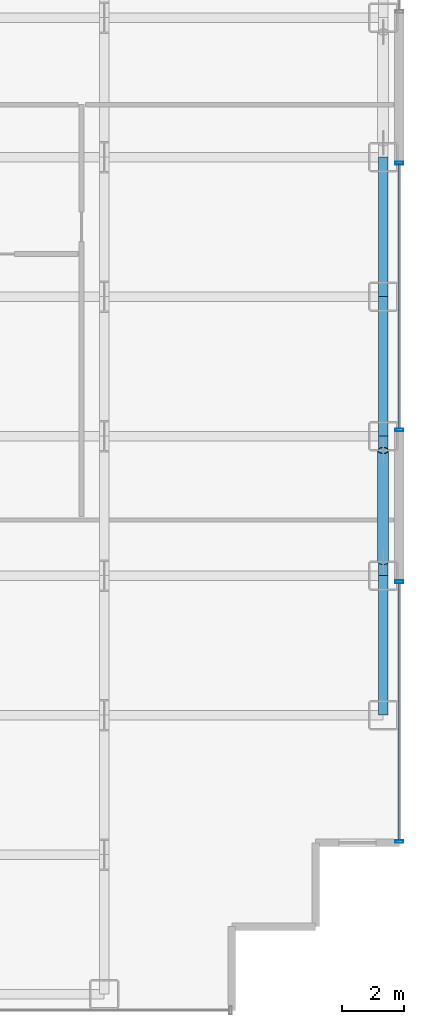
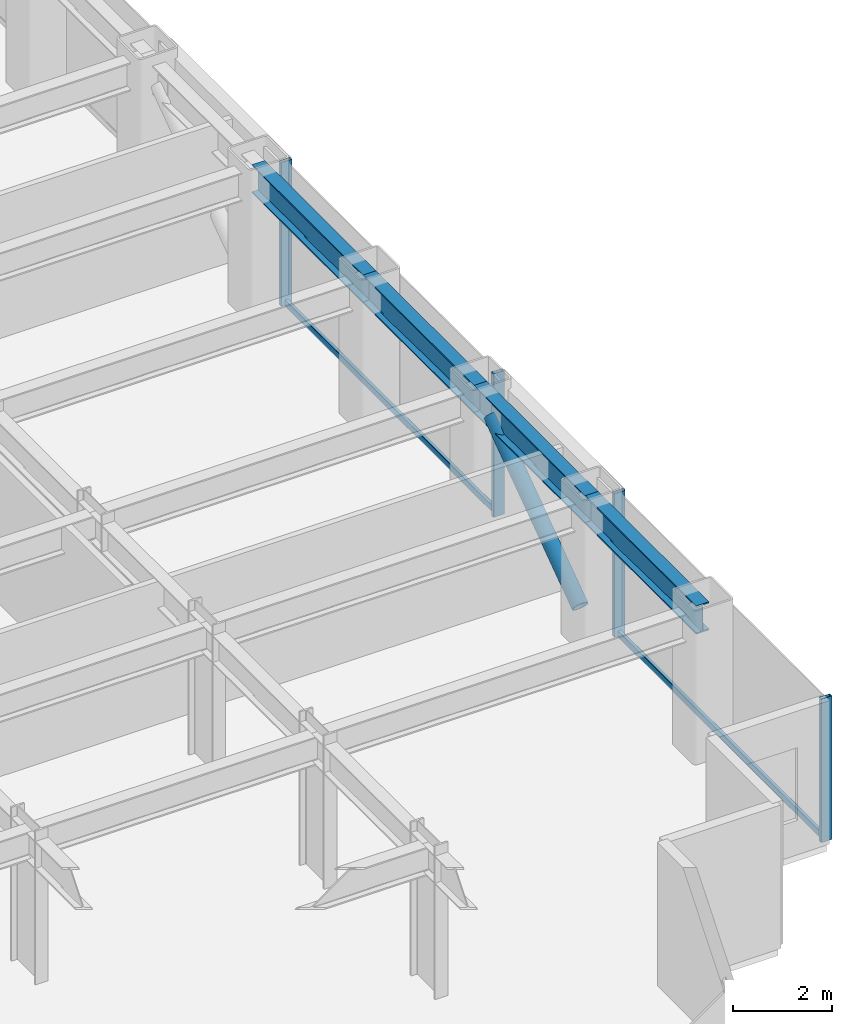
# One storey, part 18 of 29: 7 members, 4 beams, 2 elements without a shape of their own.
"""IFC4 building model written with IfcOpenShell, lengths in metres."""

import ifcopenshell
import ifcopenshell.guid

model = None  # the IFC model being written
_history = None  # IfcOwnerHistory: only IFC2X3 demands one
_inside = {}  # id of a spatial element -> (the spatial element, [elements in it])
_under = {}  # id of a project, library or spatial element -> (it, [spatial elements below it])
_declared = {}  # id of a project -> (the project, [libraries it declares])
_typed = {}  # id of a type object -> (the type object, [elements of that type])
_made_of = {}  # id of a material, layer set ... -> (it, [elements and type objects made of it])


def new_model(schema):
    """Start an empty IFC model of exactly this schema.

    Asked for "IFC4X3", IfcOpenShell would pick the latest addendum, in which some entities
    have other attributes; the version numbers below select the first issue.
    IFC2X3 requires an IfcOwnerHistory on every rooted entity: one is made here for all.
    """
    global model, _history
    if schema == "IFC4X3":
        model = ifcopenshell.file(schema_version=(4, 3, 0, 0))
    else:
        model = ifcopenshell.file(schema=schema)
    _inside.clear()
    _under.clear()
    _declared.clear()
    _typed.clear()
    _made_of.clear()
    _history = None
    if model.schema == "IFC2X3":
        org = make("IfcOrganization", Name="unknown")
        user = make(
            "IfcPersonAndOrganization",
            ThePerson=make("IfcPerson", FamilyName="unknown"),
            TheOrganization=org,
        )
        app = make(
            "IfcApplication",
            ApplicationDeveloper=org,
            Version="unknown",
            ApplicationFullName="unknown",
            ApplicationIdentifier="unknown",
        )
        _history = make(
            "IfcOwnerHistory",
            OwningUser=user,
            OwningApplication=app,
            ChangeAction="ADDED",
            CreationDate=0,
        )
    return model


def make(cls, **values):
    """One entity of the class cls with the attributes given. An attribute that is None is left unset."""
    return model.create_entity(
        cls, **{name: value for name, value in values.items() if value is not None}
    )


def rooted(cls, **values):
    """An entity with a GlobalId (a new one), such as an element, a storey or a relation."""
    return make(cls, GlobalId=ifcopenshell.guid.new(), OwnerHistory=_history, **values)


def si_unit(unit_type, name, prefix=None):
    """IfcSIUnit, for example si_unit("LENGTHUNIT", "METRE", prefix="MILLI")."""
    return make("IfcSIUnit", UnitType=unit_type, Prefix=prefix, Name=name)


def assignment(units):
    """IfcUnitAssignment: the units of a project."""
    return None if units is None else make("IfcUnitAssignment", Units=units)


def point(xyz):
    """IfcCartesianPoint."""
    return None if xyz is None else make("IfcCartesianPoint", Coordinates=xyz)


def direction(xyz):
    """IfcDirection."""
    return None if xyz is None else make("IfcDirection", DirectionRatios=xyz)


def frame(location, z_axis=None, x_axis=None):
    """IfcAxis2Placement3D, a coordinate frame: its origin and axes. An axis left out is left unset."""
    return make(
        "IfcAxis2Placement3D",
        Location=point(location),
        Axis=direction(z_axis),
        RefDirection=direction(x_axis),
    )


def frame_2d(location, x_axis=None):
    """IfcAxis2Placement2D, a coordinate frame in the plane: its origin and x axis."""
    return make(
        "IfcAxis2Placement2D", Location=point(location), RefDirection=direction(x_axis)
    )


def origin():
    """The frame at (0, 0, 0) with its axes left unset."""
    return frame((0.0, 0.0, 0.0))


def origin_2d():
    """The frame at (0, 0) in the plane with its x axis left unset."""
    return frame_2d((0.0, 0.0))


def place(relative_to, where):
    """IfcLocalPlacement: puts the frame where relative to a parent placement (None: the world)."""
    return make(
        "IfcLocalPlacement", PlacementRelTo=relative_to, RelativePlacement=where
    )


def context(
    kind, dimensions, precision=None, world=None, true_north=None, identifier=None
):
    """IfcGeometricRepresentationContext, for example the 3D "Model" context."""
    return make(
        "IfcGeometricRepresentationContext",
        ContextIdentifier=identifier,
        ContextType=kind,
        CoordinateSpaceDimension=dimensions,
        Precision=precision,
        WorldCoordinateSystem=world,
        TrueNorth=true_north,
    )


def subcontext(parent, identifier, kind, view, scale=None):
    """IfcGeometricRepresentationSubContext, for example "Body" below "Model"."""
    return make(
        "IfcGeometricRepresentationSubContext",
        ContextIdentifier=identifier,
        ContextType=kind,
        ParentContext=parent,
        TargetScale=scale,
        TargetView=view,
    )


def project(units=None, contexts=None):
    """IfcProject with its units and contexts."""
    return rooted(
        "IfcProject",
        Name="project",
        RepresentationContexts=contexts,
        UnitsInContext=assignment(units),
    )


def spatial(cls, under=None, at=None, **own):
    """A site, building, storey or space (cls), placed at a placement, below another one or the project."""
    s = rooted(cls, ObjectPlacement=at, **own)
    if under is not None:
        _under.setdefault(under.id(), (under, []))[1].append(s)
    return s


def profile(cls, at=None, kind="AREA", **sizes):
    """A parametric profile (cls). Its sizes go by their IFC names, for example OverallWidth=200.0."""
    return make(cls, ProfileType=kind, Position=at, **sizes)


def hollow_rectangle(**sizes):
    """IfcRectangleHollowProfileDef."""
    return profile("IfcRectangleHollowProfileDef", **sizes)


def hollow_circle(**sizes):
    """IfcCircleHollowProfileDef."""
    return profile("IfcCircleHollowProfileDef", **sizes)


def i_section(**sizes):
    """IfcIShapeProfileDef."""
    return profile("IfcIShapeProfileDef", **sizes)


def extrude(swept, where, along, depth):
    """IfcExtrudedAreaSolid: the profile swept, set in the frame where, extruded along a direction by depth."""
    return make(
        "IfcExtrudedAreaSolid",
        SweptArea=swept,
        Position=where,
        ExtrudedDirection=direction(along),
        Depth=depth,
    )


def shape(context_of_items, identifier, shape_type, items):
    """IfcShapeRepresentation: the items that make up one representation, for example the "Body"."""
    return make(
        "IfcShapeRepresentation",
        ContextOfItems=context_of_items,
        RepresentationIdentifier=identifier,
        RepresentationType=shape_type,
        Items=items,
    )


def source(mapping_origin, context_of_items, identifier, shape_type, items):
    """IfcRepresentationMap: a shape defined once, which mapped items show again and again."""
    return make(
        "IfcRepresentationMap",
        MappingOrigin=mapping_origin,
        MappedRepresentation=shape(context_of_items, identifier, shape_type, items),
    )


def transform(
    local_origin,
    x_axis=None,
    y_axis=None,
    z_axis=None,
    scale=None,
    scale2=None,
    scale3=None,
    uniform=True,
):
    """IfcCartesianTransformationOperator3D, or its non-uniform kind. x_axis, y_axis, z_axis: its Axis1, 2, 3."""
    if uniform:
        return make(
            "IfcCartesianTransformationOperator3D",
            Axis1=direction(x_axis),
            Axis2=direction(y_axis),
            LocalOrigin=point(local_origin),
            Scale=scale,
            Axis3=direction(z_axis),
        )
    return make(
        "IfcCartesianTransformationOperator3DnonUniform",
        Axis1=direction(x_axis),
        Axis2=direction(y_axis),
        LocalOrigin=point(local_origin),
        Scale=scale,
        Axis3=direction(z_axis),
        Scale2=scale2,
        Scale3=scale3,
    )


def mapped(mapping_source, mapping_target):
    """IfcMappedItem: shows the shape of a source again, moved by a transform."""
    return make(
        "IfcMappedItem", MappingSource=mapping_source, MappingTarget=mapping_target
    )


def material(Name=None, Category=None):
    """IfcMaterial."""
    return make("IfcMaterial", Name=Name, Category=Category)


def layer(
    of_material, thickness, ventilated=None, Name=None, Category=None, Priority=None
):
    """IfcMaterialLayer: one layer of a wall or slab, of a material (None: an air gap)."""
    return make(
        "IfcMaterialLayer",
        Material=of_material,
        LayerThickness=thickness,
        IsVentilated=ventilated,
        Name=Name,
        Category=Category,
        Priority=Priority,
    )


def layer_set(layers, Name=None):
    """IfcMaterialLayerSet."""
    return make("IfcMaterialLayerSet", MaterialLayers=layers, LayerSetName=Name)


def material_profile(
    of_material, cross_section, Name=None, Category=None, Priority=None
):
    """IfcMaterialProfile: a cross section and its material."""
    return make(
        "IfcMaterialProfile",
        Name=Name,
        Material=of_material,
        Profile=cross_section,
        Priority=Priority,
        Category=Category,
    )


def profile_set(profiles, Name=None, composite=None):
    """IfcMaterialProfileSet."""
    return make(
        "IfcMaterialProfileSet",
        Name=Name,
        MaterialProfiles=profiles,
        CompositeProfile=composite,
    )


def made_of(thing, what):
    """Note that an element or type object is made of a material, layer set ...; save() writes the relation."""
    if what is not None:
        _made_of.setdefault(what.id(), (what, []))[1].append(thing)
    return thing


def type_object(cls, material=None, **own):
    """A type object (cls), such as IfcWallType, which elements share."""
    return made_of(rooted(cls, **own), material)


def element(
    cls,
    number,
    at=None,
    inside=None,
    cuts=None,
    type_object=None,
    material=None,
    context=None,
    identifier="Body",
    shape_type=None,
    held_by="IfcProductDefinitionShape",
    body=None,
    shapes=None,
    **own,
):
    """One element of the class cls, such as IfcWall. Its Tag is "e" and its number.

    at: its placement. inside: the storey or other place that contains it. cuts: it is an
    opening in that element (IfcRelVoidsElement). A single representation is given by context,
    identifier, shape_type and body (its items); several are given by shapes. held_by: the class
    of the entity that holds the representations. save() writes the other relations.
    """
    e = rooted(cls, Tag="e%d" % number, ObjectPlacement=at, **own)
    if body is not None:
        shapes = [shape(context, identifier, shape_type, body)]
    if shapes is not None:
        e.Representation = make(held_by, Representations=shapes)
    if inside is not None:
        _inside.setdefault(inside.id(), (inside, []))[1].append(e)
    if cuts is not None:
        rooted(
            "IfcRelVoidsElement", RelatingBuildingElement=cuts, RelatedOpeningElement=e
        )
    if type_object is not None:
        _typed.setdefault(type_object.id(), (type_object, []))[1].append(e)
    return made_of(e, material)


def aggregate(whole, parts):
    """IfcRelAggregates: a whole, such as a stair, and the parts it consists of."""
    return rooted("IfcRelAggregates", RelatingObject=whole, RelatedObjects=parts)


def save(model, path):
    """Write the relations noted so far, then the file.

    IfcRelAggregates (storeys below a building ...), IfcRelContainedInSpatialStructure (elements
    in a storey), IfcRelDefinesByType, IfcRelAssociatesMaterial and IfcRelDeclares: one each for
    every whole, place, type object, material and project.
    """
    for whole, parts in _under.values():
        aggregate(whole, parts)
    for where, things in _inside.values():
        rooted(
            "IfcRelContainedInSpatialStructure",
            RelatedElements=things,
            RelatingStructure=where,
        )
    for kind, things in _typed.values():
        rooted("IfcRelDefinesByType", RelatedObjects=things, RelatingType=kind)
    for what, things in _made_of.values():
        rooted("IfcRelAssociatesMaterial", RelatedObjects=things, RelatingMaterial=what)
    for by, libraries in _declared.values():
        rooted("IfcRelDeclares", RelatingContext=by, RelatedDefinitions=libraries)
    model.write(path)


model = new_model("IFC4")

# Units and contexts
model_context = context("Model", 3, precision=1e-05, world=origin(), true_north=direction((0.0, 1.0)))
body_context = subcontext(model_context, "Body", "Model", "MODEL_VIEW")
ifc_project = project(units=[si_unit("LENGTHUNIT", "METRE"), si_unit("AREAUNIT", "SQUARE_METRE"), si_unit("VOLUMEUNIT", "CUBIC_METRE"), si_unit("PLANEANGLEUNIT", "RADIAN"), si_unit("MASSUNIT", "GRAM", prefix="KILO")], contexts=[model_context])

# Site, building, storey
site_placement = place(None, origin())
site = spatial("IfcSite", under=ifc_project, at=site_placement, CompositionType="ELEMENT")
building_placement = place(site_placement, origin())
building = spatial("IfcBuilding", under=site, at=building_placement, Name="Nefas-Gora Pilgrimage Tower", CompositionType="ELEMENT")
storey_placement = place(building_placement, frame((0.0, 0.0, 44.39990234375)))
storey = spatial("IfcBuildingStorey", under=building, at=storey_placement, Name="L09", CompositionType="ELEMENT", Elevation=44.39990234375)

# Beams
ifc_material_1 = material(Name="Steel S355", Category="steel")
ifc_material_profile_1 = material_profile(ifc_material_1, i_section(OverallWidth=0.300048828125, OverallDepth=0.699951171875, WebThickness=0.01708984375, FlangeThickness=0.031982421875, FilletRadius=0.027099609375, at=origin_2d()), Name="HEB 700")
ifc_profile_set_1 = profile_set([ifc_material_profile_1], Name="Steel S355")
beam_type = type_object("IfcBeamType", Name="BM-SPN-HEB600", PredefinedType="SPANDREL", material=ifc_profile_set_1)
shared_shape_1 = source(origin(), body_context, "Body", "SweptSolid", [
    extrude(i_section(OverallWidth=0.300048828125, OverallDepth=0.699951171875, WebThickness=0.01708984375, FlangeThickness=0.031982421875, FilletRadius=0.027099609375, at=origin_2d()), origin(), (0.0, 0.0, 1.0), 4.5),
])
for number, where, z_axis, x_axis, name in (
    (1, (33.75, -13.5, 3.2001953125), (0.0, 1.0, 0.0), (-1.0, 0.0, 0.0), "L09 SP-01 beam"),
    (2, (33.75, -9.0, 3.2001953125), (0.0, 1.0, 0.0), (-1.0, 0.0, 0.0), "L09 SP-01 beam"),
    (3, (33.75, -4.5, 3.2001953125), (0.0, 1.0, 0.0), (-1.0, 0.0, 0.0), "L09 SP-01 beam"),
    (4, (33.75, 0.0, 3.2001953125), (0.0, 1.0, 0.0), (-1.0, 0.0, 0.0), "L09 SP-01 beam"),
):
    element("IfcBeam", number, at=place(storey_placement, frame(where, z_axis=z_axis, x_axis=x_axis)), inside=storey, type_object=beam_type, Name=name, PredefinedType="SPANDREL", context=body_context, shape_type="MappedRepresentation", body=[
        mapped(shared_shape_1, transform((0.0, 0.0, 0.0), x_axis=(1.0, 0.0, 0.0), y_axis=(0.0, 1.0, 0.0), z_axis=(0.0, 0.0, 1.0), scale=1.0)),
    ])

# Member
ifc_material_2 = material(Name="Steel S460", Category="steel")
ifc_material_profile_2 = material_profile(ifc_material_2, hollow_circle(Radius=0.177734375, WallThickness=0.02001953125, at=origin_2d()), Name="CHS 355.6x20")
ifc_profile_set_2 = profile_set([ifc_material_profile_2], Name="Steel S460")
member_type_1 = type_object("IfcMemberType", Name="MEM-TUBE-356", PredefinedType="BRACE", material=ifc_profile_set_2)
shared_shape_2 = source(origin(), body_context, "Body", "SweptSolid", [
    extrude(hollow_circle(Radius=0.177734375, WallThickness=0.02001953125, at=origin_2d()), origin(), (0.0, 0.0, 1.0), 4.39501953125),
])
member_1_placement = place(storey_placement, frame((33.75, -8.537109375, 0.4814453125), z_axis=(0.0, 0.813264026864, 0.581894855287), x_axis=(-1.0, 0.0, 0.0)))
element("IfcMember", 5, at=member_1_placement, inside=storey, type_object=member_type_1, Name="L09 Perimeter Tube Diagonal Brace E1", PredefinedType="BRACE", context=body_context, shape_type="MappedRepresentation", body=[
    mapped(shared_shape_2, transform((0.0, 0.0, 0.0), x_axis=(1.0, 0.0, 0.0), y_axis=(0.0, 1.0, 0.0), z_axis=(0.0, 0.0, 1.0), scale=1.0)),
])

# Curtain wall, members
ifc_material_3 = material(Name="Dark ceramic-fritted solar-control aluminium-glass curtain wall", Category="aluminium")
ifc_layer = layer(ifc_material_3, 0.219970703125)
ifc_layer_set = layer_set([ifc_layer], Name="Dark ceramic-fritted solar-control aluminium-glass curtain wall")
curtain_wall_type = type_object("IfcCurtainWallType", Name="CW-SYS-2", PredefinedType="NOTDEFINED", material=ifc_layer_set)
curtain_wall_1_placement = place(storey_placement, origin())
curtain_wall_1 = element("IfcCurtainWall", 6, at=curtain_wall_1_placement, inside=storey, type_object=curtain_wall_type, Name="L09 Unitised Curtain Wall CW2", PredefinedType="NOTDEFINED")
ifc_material_4 = material(Name="Anodised architectural aluminium", Category="aluminium")
ifc_material_profile_3 = material_profile(ifc_material_4, hollow_rectangle(XDim=0.090087890625, YDim=0.260009765625, WallThickness=0.006103515625, InnerFilletRadius=0.006103515625, OuterFilletRadius=0.011962890625, at=origin_2d()), Name="ALU MULLION 90x260")
ifc_profile_set_3 = profile_set([ifc_material_profile_3], Name="Anodised architectural aluminium")
member_type_2 = type_object("IfcMemberType", Name="CWM-MUL-2", PredefinedType="MULLION", material=ifc_profile_set_3)
shared_shape_3 = source(origin(), body_context, "Body", "SweptSolid", [
    extrude(hollow_rectangle(XDim=0.090087890625, YDim=0.260009765625, WallThickness=0.006103515625, InnerFilletRadius=0.006103515625, OuterFilletRadius=0.011962890625, at=origin_2d()), origin(), (0.0, 0.0, 1.0), 3.550048828125),
])
member_2_placement = place(storey_placement, frame((34.27001953125, -17.574951171875, 0.0), z_axis=(0.0, 0.0, 1.0), x_axis=(0.0, 1.0, 0.0)))
member_2 = element("IfcMember", 7, at=member_2_placement, type_object=member_type_2, Name="CW2 Mullion 1", PredefinedType="MULLION", context=body_context, shape_type="MappedRepresentation", body=[
    mapped(shared_shape_3, transform((0.0, 0.0, 0.0), x_axis=(1.0, 0.0, 0.0), y_axis=(0.0, 1.0, 0.0), z_axis=(0.0, 0.0, 1.0), scale=1.0)),
])
member_3_placement = place(storey_placement, frame((34.27001953125, -9.195068359375, 0.0), z_axis=(0.0, 0.0, 1.0), x_axis=(0.0, 1.0, 0.0)))
member_3 = element("IfcMember", 8, at=member_3_placement, type_object=member_type_2, Name="CW2 Mullion 2", PredefinedType="MULLION", context=body_context, shape_type="MappedRepresentation", body=[
    mapped(shared_shape_3, transform((0.0, 0.0, 0.0), x_axis=(1.0, 0.0, 0.0), y_axis=(0.0, 1.0, 0.0), z_axis=(0.0, 0.0, 1.0), scale=1.0)),
])

curtain_wall_2_placement = place(storey_placement, origin())
curtain_wall_2 = element("IfcCurtainWall", 9, at=curtain_wall_2_placement, inside=storey, type_object=curtain_wall_type, Name="L09 Unitised Curtain Wall CW2", PredefinedType="NOTDEFINED")
member_4_placement = place(storey_placement, frame((34.27001953125, -4.304931640625, 0.0), z_axis=(0.0, 0.0, 1.0), x_axis=(0.0, 1.0, 0.0)))
member_4 = element("IfcMember", 10, at=member_4_placement, type_object=member_type_2, Name="CW2 Mullion 1", PredefinedType="MULLION", context=body_context, shape_type="MappedRepresentation", body=[
    mapped(shared_shape_3, transform((0.0, 0.0, 0.0), x_axis=(1.0, 0.0, 0.0), y_axis=(0.0, 1.0, 0.0), z_axis=(0.0, 0.0, 1.0), scale=1.0)),
])
member_5_placement = place(storey_placement, frame((34.27001953125, 4.304931640625, 0.0), z_axis=(0.0, 0.0, 1.0), x_axis=(0.0, 1.0, 0.0)))
member_5 = element("IfcMember", 11, at=member_5_placement, type_object=member_type_2, Name="CW2 Mullion 2", PredefinedType="MULLION", context=body_context, shape_type="MappedRepresentation", body=[
    mapped(shared_shape_3, transform((0.0, 0.0, 0.0), x_axis=(1.0, 0.0, 0.0), y_axis=(0.0, 1.0, 0.0), z_axis=(0.0, 0.0, 1.0), scale=1.0)),
])

# Member
ifc_material_profile_4 = material_profile(ifc_material_4, hollow_rectangle(XDim=0.080078125, YDim=0.159912109375, WallThickness=0.00439453125, InnerFilletRadius=0.00439453125, OuterFilletRadius=0.009033203125, at=origin_2d()), Name="ALU TRANSOM 80x160")
ifc_profile_set_4 = profile_set([ifc_material_profile_4], Name="Anodised architectural aluminium")
member_type_3 = type_object("IfcMemberType", Name="CWM-TRN-2", PredefinedType="USERDEFINED", material=ifc_profile_set_4)
shared_shape_4 = source(origin(), body_context, "Body", "SweptSolid", [
    extrude(hollow_rectangle(XDim=0.080078125, YDim=0.159912109375, WallThickness=0.00439453125, InnerFilletRadius=0.00439453125, OuterFilletRadius=0.009033203125, at=origin_2d()), origin(), (0.0, 0.0, 1.0), 8.2900390625),
])
member_6_placement = place(storey_placement, frame((34.27001953125, -17.530029296875, 0.050048828125), z_axis=(0.0, 1.0, 0.0), x_axis=(-1.0, 0.0, 0.0)))
member_6 = element("IfcMember", 12, at=member_6_placement, type_object=member_type_3, Name="CW2 Spandrel Transom", ObjectType="TRANSOM", PredefinedType="USERDEFINED", context=body_context, shape_type="MappedRepresentation", body=[
    mapped(shared_shape_4, transform((0.0, 0.0, 0.0), x_axis=(1.0, 0.0, 0.0), y_axis=(0.0, 1.0, 0.0), z_axis=(0.0, 0.0, 1.0), scale=1.0)),
])

aggregate(curtain_wall_1, [member_2, member_3, member_6])

shared_shape_5 = source(origin(), body_context, "Body", "SweptSolid", [
    extrude(hollow_rectangle(XDim=0.080078125, YDim=0.159912109375, WallThickness=0.00439453125, InnerFilletRadius=0.00439453125, OuterFilletRadius=0.009033203125, at=origin_2d()), origin(), (0.0, 0.0, 1.0), 8.52001953125),
])
member_7_placement = place(storey_placement, frame((34.27001953125, -4.260009765625, 0.050048828125), z_axis=(0.0, 1.0, 0.0), x_axis=(-1.0, 0.0, 0.0)))
member_7 = element("IfcMember", 13, at=member_7_placement, type_object=member_type_3, Name="CW2 Spandrel Transom", ObjectType="TRANSOM", PredefinedType="USERDEFINED", context=body_context, shape_type="MappedRepresentation", body=[
    mapped(shared_shape_5, transform((0.0, 0.0, 0.0), x_axis=(1.0, 0.0, 0.0), y_axis=(0.0, 1.0, 0.0), z_axis=(0.0, 0.0, 1.0), scale=1.0)),
])

aggregate(curtain_wall_2, [member_4, member_5, member_7])

save(model, "model.ifc")
